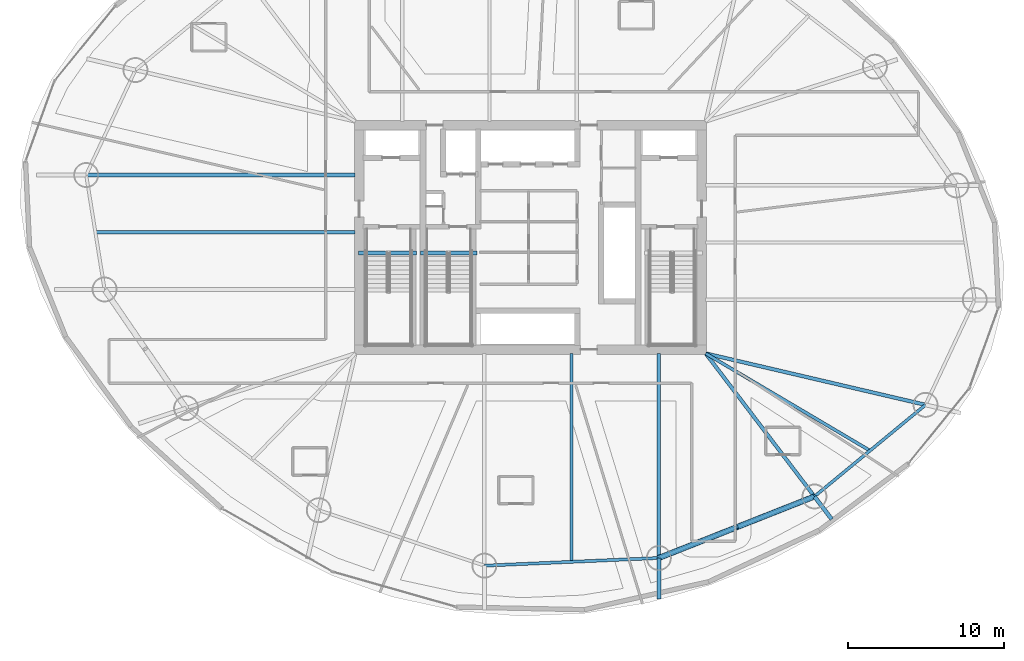
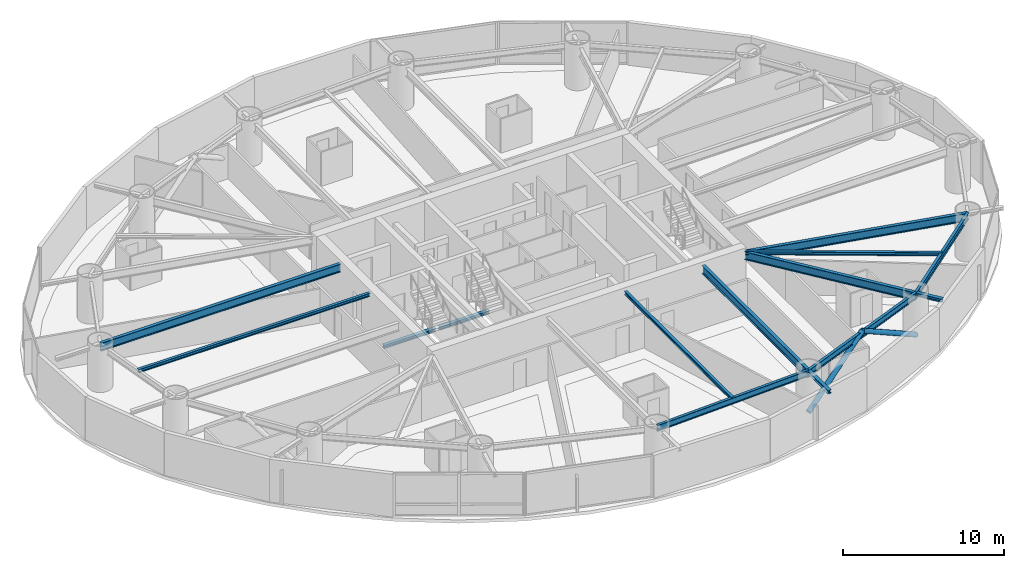
# One storey, part 6 of 23: 14 beams, 2 members.
"""IFC4 building model written with IfcOpenShell, lengths in metres."""

import ifcopenshell
import ifcopenshell.guid

model = None  # the IFC model being written
_history = None  # IfcOwnerHistory: only IFC2X3 demands one
_inside = {}  # id of a spatial element -> (the spatial element, [elements in it])
_under = {}  # id of a project, library or spatial element -> (it, [spatial elements below it])
_declared = {}  # id of a project -> (the project, [libraries it declares])
_typed = {}  # id of a type object -> (the type object, [elements of that type])
_made_of = {}  # id of a material, layer set ... -> (it, [elements and type objects made of it])


def new_model(schema):
    """Start an empty IFC model of exactly this schema.

    Asked for "IFC4X3", IfcOpenShell would pick the latest addendum, in which some entities
    have other attributes; the version numbers below select the first issue.
    IFC2X3 requires an IfcOwnerHistory on every rooted entity: one is made here for all.
    """
    global model, _history
    if schema == "IFC4X3":
        model = ifcopenshell.file(schema_version=(4, 3, 0, 0))
    else:
        model = ifcopenshell.file(schema=schema)
    _inside.clear()
    _under.clear()
    _declared.clear()
    _typed.clear()
    _made_of.clear()
    _history = None
    if model.schema == "IFC2X3":
        org = make("IfcOrganization", Name="unknown")
        user = make(
            "IfcPersonAndOrganization",
            ThePerson=make("IfcPerson", FamilyName="unknown"),
            TheOrganization=org,
        )
        app = make(
            "IfcApplication",
            ApplicationDeveloper=org,
            Version="unknown",
            ApplicationFullName="unknown",
            ApplicationIdentifier="unknown",
        )
        _history = make(
            "IfcOwnerHistory",
            OwningUser=user,
            OwningApplication=app,
            ChangeAction="ADDED",
            CreationDate=0,
        )
    return model


def make(cls, **values):
    """One entity of the class cls with the attributes given. An attribute that is None is left unset."""
    return model.create_entity(
        cls, **{name: value for name, value in values.items() if value is not None}
    )


def rooted(cls, **values):
    """An entity with a GlobalId (a new one), such as an element, a storey or a relation."""
    return make(cls, GlobalId=ifcopenshell.guid.new(), OwnerHistory=_history, **values)


def si_unit(unit_type, name, prefix=None):
    """IfcSIUnit, for example si_unit("LENGTHUNIT", "METRE", prefix="MILLI")."""
    return make("IfcSIUnit", UnitType=unit_type, Prefix=prefix, Name=name)


def assignment(units):
    """IfcUnitAssignment: the units of a project."""
    return None if units is None else make("IfcUnitAssignment", Units=units)


def point(xyz):
    """IfcCartesianPoint."""
    return None if xyz is None else make("IfcCartesianPoint", Coordinates=xyz)


def direction(xyz):
    """IfcDirection."""
    return None if xyz is None else make("IfcDirection", DirectionRatios=xyz)


def frame(location, z_axis=None, x_axis=None):
    """IfcAxis2Placement3D, a coordinate frame: its origin and axes. An axis left out is left unset."""
    return make(
        "IfcAxis2Placement3D",
        Location=point(location),
        Axis=direction(z_axis),
        RefDirection=direction(x_axis),
    )


def frame_2d(location, x_axis=None):
    """IfcAxis2Placement2D, a coordinate frame in the plane: its origin and x axis."""
    return make(
        "IfcAxis2Placement2D", Location=point(location), RefDirection=direction(x_axis)
    )


def origin():
    """The frame at (0, 0, 0) with its axes left unset."""
    return frame((0.0, 0.0, 0.0))


def origin_2d():
    """The frame at (0, 0) in the plane with its x axis left unset."""
    return frame_2d((0.0, 0.0))


def place(relative_to, where):
    """IfcLocalPlacement: puts the frame where relative to a parent placement (None: the world)."""
    return make(
        "IfcLocalPlacement", PlacementRelTo=relative_to, RelativePlacement=where
    )


def context(
    kind, dimensions, precision=None, world=None, true_north=None, identifier=None
):
    """IfcGeometricRepresentationContext, for example the 3D "Model" context."""
    return make(
        "IfcGeometricRepresentationContext",
        ContextIdentifier=identifier,
        ContextType=kind,
        CoordinateSpaceDimension=dimensions,
        Precision=precision,
        WorldCoordinateSystem=world,
        TrueNorth=true_north,
    )


def subcontext(parent, identifier, kind, view, scale=None):
    """IfcGeometricRepresentationSubContext, for example "Body" below "Model"."""
    return make(
        "IfcGeometricRepresentationSubContext",
        ContextIdentifier=identifier,
        ContextType=kind,
        ParentContext=parent,
        TargetScale=scale,
        TargetView=view,
    )


def project(units=None, contexts=None):
    """IfcProject with its units and contexts."""
    return rooted(
        "IfcProject",
        Name="project",
        RepresentationContexts=contexts,
        UnitsInContext=assignment(units),
    )


def spatial(cls, under=None, at=None, **own):
    """A site, building, storey or space (cls), placed at a placement, below another one or the project."""
    s = rooted(cls, ObjectPlacement=at, **own)
    if under is not None:
        _under.setdefault(under.id(), (under, []))[1].append(s)
    return s


def profile(cls, at=None, kind="AREA", **sizes):
    """A parametric profile (cls). Its sizes go by their IFC names, for example OverallWidth=200.0."""
    return make(cls, ProfileType=kind, Position=at, **sizes)


def hollow_circle(**sizes):
    """IfcCircleHollowProfileDef."""
    return profile("IfcCircleHollowProfileDef", **sizes)


def i_section(**sizes):
    """IfcIShapeProfileDef."""
    return profile("IfcIShapeProfileDef", **sizes)


def extrude(swept, where, along, depth):
    """IfcExtrudedAreaSolid: the profile swept, set in the frame where, extruded along a direction by depth."""
    return make(
        "IfcExtrudedAreaSolid",
        SweptArea=swept,
        Position=where,
        ExtrudedDirection=direction(along),
        Depth=depth,
    )


def shape(context_of_items, identifier, shape_type, items):
    """IfcShapeRepresentation: the items that make up one representation, for example the "Body"."""
    return make(
        "IfcShapeRepresentation",
        ContextOfItems=context_of_items,
        RepresentationIdentifier=identifier,
        RepresentationType=shape_type,
        Items=items,
    )


def material(Name=None, Category=None):
    """IfcMaterial."""
    return make("IfcMaterial", Name=Name, Category=Category)


def material_profile(
    of_material, cross_section, Name=None, Category=None, Priority=None
):
    """IfcMaterialProfile: a cross section and its material."""
    return make(
        "IfcMaterialProfile",
        Name=Name,
        Material=of_material,
        Profile=cross_section,
        Priority=Priority,
        Category=Category,
    )


def profile_set(profiles, Name=None, composite=None):
    """IfcMaterialProfileSet."""
    return make(
        "IfcMaterialProfileSet",
        Name=Name,
        MaterialProfiles=profiles,
        CompositeProfile=composite,
    )


def made_of(thing, what):
    """Note that an element or type object is made of a material, layer set ...; save() writes the relation."""
    if what is not None:
        _made_of.setdefault(what.id(), (what, []))[1].append(thing)
    return thing


def type_object(cls, material=None, **own):
    """A type object (cls), such as IfcWallType, which elements share."""
    return made_of(rooted(cls, **own), material)


def element(
    cls,
    number,
    at=None,
    inside=None,
    cuts=None,
    type_object=None,
    material=None,
    context=None,
    identifier="Body",
    shape_type=None,
    held_by="IfcProductDefinitionShape",
    body=None,
    shapes=None,
    **own,
):
    """One element of the class cls, such as IfcWall. Its Tag is "e" and its number.

    at: its placement. inside: the storey or other place that contains it. cuts: it is an
    opening in that element (IfcRelVoidsElement). A single representation is given by context,
    identifier, shape_type and body (its items); several are given by shapes. held_by: the class
    of the entity that holds the representations. save() writes the other relations.
    """
    e = rooted(cls, Tag="e%d" % number, ObjectPlacement=at, **own)
    if body is not None:
        shapes = [shape(context, identifier, shape_type, body)]
    if shapes is not None:
        e.Representation = make(held_by, Representations=shapes)
    if inside is not None:
        _inside.setdefault(inside.id(), (inside, []))[1].append(e)
    if cuts is not None:
        rooted(
            "IfcRelVoidsElement", RelatingBuildingElement=cuts, RelatedOpeningElement=e
        )
    if type_object is not None:
        _typed.setdefault(type_object.id(), (type_object, []))[1].append(e)
    return made_of(e, material)


def aggregate(whole, parts):
    """IfcRelAggregates: a whole, such as a stair, and the parts it consists of."""
    return rooted("IfcRelAggregates", RelatingObject=whole, RelatedObjects=parts)


def save(model, path):
    """Write the relations noted so far, then the file.

    IfcRelAggregates (storeys below a building ...), IfcRelContainedInSpatialStructure (elements
    in a storey), IfcRelDefinesByType, IfcRelAssociatesMaterial and IfcRelDeclares: one each for
    every whole, place, type object, material and project.
    """
    for whole, parts in _under.values():
        aggregate(whole, parts)
    for where, things in _inside.values():
        rooted(
            "IfcRelContainedInSpatialStructure",
            RelatedElements=things,
            RelatingStructure=where,
        )
    for kind, things in _typed.values():
        rooted("IfcRelDefinesByType", RelatedObjects=things, RelatingType=kind)
    for what, things in _made_of.values():
        rooted("IfcRelAssociatesMaterial", RelatedObjects=things, RelatingMaterial=what)
    for by, libraries in _declared.values():
        rooted("IfcRelDeclares", RelatingContext=by, RelatedDefinitions=libraries)
    model.write(path)


model = new_model("IFC4")

# Units and contexts
model_context = context("Model", 3, precision=1e-05, world=origin(), true_north=direction((0.0, 1.0)))
body_context = subcontext(model_context, "Body", "Model", "MODEL_VIEW")
ifc_project = project(units=[si_unit("LENGTHUNIT", "METRE"), si_unit("AREAUNIT", "SQUARE_METRE"), si_unit("VOLUMEUNIT", "CUBIC_METRE"), si_unit("PLANEANGLEUNIT", "RADIAN"), si_unit("MASSUNIT", "GRAM", prefix="KILO")], contexts=[model_context])

# Site, building, storey
site_placement = place(None, origin())
site = spatial("IfcSite", under=ifc_project, at=site_placement, CompositionType="ELEMENT")
building_placement = place(site_placement, origin())
building = spatial("IfcBuilding", under=site, at=building_placement, Name="Bramvorn Convention Spire", CompositionType="ELEMENT")
storey_placement = place(building_placement, frame((0.0, 0.0, 69.39990234375)))
storey = spatial("IfcBuildingStorey", under=building, at=storey_placement, Name="L15", CompositionType="ELEMENT", Elevation=69.39990234375)

# Beams
ifc_material = material(Name="Steel CSA G40.21 Grade 350 (350W)", Category="steel")
ifc_material_profile_1 = material_profile(ifc_material, i_section(OverallWidth=0.201904296875, OverallDepth=0.2470703125, WebThickness=0.00732421875, FlangeThickness=0.010986328125, FilletRadius=0.011962890625, at=origin_2d()))
ifc_profile_set_1 = profile_set([ifc_material_profile_1], Name="Steel CSA G40.21 Grade 350 (350W) - W250X49")
beam_type_1 = type_object("IfcBeamType", Name="BM-W250X49", PredefinedType="JOIST", material=ifc_profile_set_1)
beam_1_placement = place(storey_placement, frame((26.75, 26.333984375, 3.126708984375), z_axis=(-1.0, 0.0, 0.0), x_axis=(0.0, -1.0, 0.0)))
element("IfcBeam", 1, at=beam_1_placement, inside=storey, type_object=beam_type_1, Name="L15 composite floor joist 09", PredefinedType="JOIST", context=body_context, shape_type="SweptSolid", body=[
    extrude(i_section(OverallWidth=0.201904296875, OverallDepth=0.2470703125, WebThickness=0.00732421875, FlangeThickness=0.010986328125, FilletRadius=0.011962890625, at=origin_2d()), origin(), (0.0, 0.0, 1.0), 16.67919921875),
])
beam_2_placement = place(storey_placement, frame((40.638427734375, 18.550048828125, 3.126708984375), z_axis=(0.0, -1.0, 0.0), x_axis=(1.0, 0.0, 0.0)))
element("IfcBeam", 2, at=beam_2_placement, inside=storey, type_object=beam_type_1, Name="L15 composite floor joist 13", PredefinedType="JOIST", context=body_context, shape_type="SweptSolid", body=[
    extrude(i_section(OverallWidth=0.201904296875, OverallDepth=0.2470703125, WebThickness=0.00732421875, FlangeThickness=0.010986328125, FilletRadius=0.011962890625, at=origin_2d()), origin(), (0.0, 0.0, 1.0), 13.372802734375),
])
beam_3_placement = place(storey_placement, frame((49.25, 18.550048828125, 3.126708984375), z_axis=(0.860664556648, -0.509172388223, 0.0), x_axis=(0.509172388223, 0.860664556648, 0.0)))
element("IfcBeam", 3, at=beam_3_placement, inside=storey, type_object=beam_type_1, Name="L15 composite floor joist 15", PredefinedType="JOIST", context=body_context, shape_type="SweptSolid", body=[
    extrude(i_section(OverallWidth=0.201904296875, OverallDepth=0.2470703125, WebThickness=0.00732421875, FlangeThickness=0.010986328125, FilletRadius=0.011962890625, at=origin_2d()), origin(), (0.0, 0.0, 1.0), 12.25048828125),
])
ifc_material_profile_2 = material_profile(ifc_material, i_section(OverallWidth=0.25390625, OverallDepth=0.2529296875, WebThickness=0.008544921875, FlangeThickness=0.01416015625, FilletRadius=0.011962890625, at=origin_2d()))
ifc_profile_set_2 = profile_set([ifc_material_profile_2], Name="Steel CSA G40.21 Grade 350 (350W) - W250X73")
beam_type_2 = type_object("IfcBeamType", Name="BM-W250X73", PredefinedType="BEAM", material=ifc_profile_set_2)
beam_4_placement = place(storey_placement, frame((46.23779296875, 5.42333984375, 3.12353515625), z_axis=(0.0, -1.0, 0.0), x_axis=(1.0, 0.0, 0.0)))
element("IfcBeam", 4, at=beam_4_placement, inside=storey, type_object=beam_type_2, Name="L15 slab-edge cantilever tip beam MC14", PredefinedType="BEAM", context=body_context, shape_type="SweptSolid", body=[
    extrude(i_section(OverallWidth=0.25390625, OverallDepth=0.2529296875, WebThickness=0.008544921875, FlangeThickness=0.01416015625, FilletRadius=0.011962890625, at=origin_2d()), origin(), (0.0, 0.0, 1.0), 2.633056640625),
])
beam_5_placement = place(storey_placement, frame((56.227783203125, 9.371337890625, 3.12353515625), z_axis=(0.605140630484, -0.79611859502, 0.0), x_axis=(0.79611859502, 0.605140630484, 0.0)))
element("IfcBeam", 5, at=beam_5_placement, inside=storey, type_object=beam_type_2, Name="L15 slab-edge cantilever tip beam MC15", PredefinedType="BEAM", context=body_context, shape_type="SweptSolid", body=[
    extrude(i_section(OverallWidth=0.25390625, OverallDepth=0.2529296875, WebThickness=0.008544921875, FlangeThickness=0.01416015625, FilletRadius=0.011962890625, at=origin_2d()), origin(), (0.0, 0.0, 1.0), 1.83447265625),
])
beam_6_placement = place(storey_placement, frame((26.949951171875, 25.010009765625, -0.12646484375), z_axis=(1.0, 0.0, 0.0), x_axis=(0.0, 1.0, 0.0)))
element("IfcBeam", 6, at=beam_6_placement, inside=storey, type_object=beam_type_2, Name="L15 ST1 stair arrival header beam", PredefinedType="BEAM", context=body_context, shape_type="SweptSolid", body=[
    extrude(i_section(OverallWidth=0.25390625, OverallDepth=0.2529296875, WebThickness=0.008544921875, FlangeThickness=0.01416015625, FilletRadius=0.011962890625, at=origin_2d()), origin(), (0.0, 0.0, 1.0), 3.739990234375),
])
beam_7_placement = place(storey_placement, frame((30.949951171875, 25.010009765625, -0.12646484375), z_axis=(1.0, 0.0, 0.0), x_axis=(0.0, 1.0, 0.0)))
element("IfcBeam", 7, at=beam_7_placement, inside=storey, type_object=beam_type_2, Name="L15 ST3 stair arrival header beam", PredefinedType="BEAM", context=body_context, shape_type="SweptSolid", body=[
    extrude(i_section(OverallWidth=0.25390625, OverallDepth=0.2529296875, WebThickness=0.008544921875, FlangeThickness=0.01416015625, FilletRadius=0.011962890625, at=origin_2d()), origin(), (0.0, 0.0, 1.0), 3.610107421875),
])
ifc_material_profile_3 = material_profile(ifc_material, i_section(OverallWidth=0.194091796875, OverallDepth=0.468994140625, WebThickness=0.0126953125, FlangeThickness=0.0205078125, FilletRadius=0.01806640625, at=origin_2d()))
ifc_profile_set_3 = profile_set([ifc_material_profile_3], Name="Steel CSA G40.21 Grade 350 (350W) - W460X106")
beam_type_3 = type_object("IfcBeamType", Name="BM-W460X106", PredefinedType="SPANDREL", material=ifc_profile_set_3)
beam_8_placement = place(storey_placement, frame((35.0390625, 4.93115234375, 3.015625), z_axis=(0.999035582762, 0.043907907889, 0.0), x_axis=(-0.043907907889, 0.999035582762, 0.0)))
element("IfcBeam", 8, at=beam_8_placement, inside=storey, type_object=beam_type_3, Name="L15 mega-column ring beam 13", PredefinedType="SPANDREL", context=body_context, shape_type="SweptSolid", body=[
    extrude(i_section(OverallWidth=0.194091796875, OverallDepth=0.468994140625, WebThickness=0.0126953125, FlangeThickness=0.0205078125, FilletRadius=0.01806640625, at=origin_2d()), origin(), (0.0, 0.0, 1.0), 11.20947265625),
])
beam_9_placement = place(storey_placement, frame((46.23779296875, 5.42333984375, 3.015625), z_axis=(0.93000950609, 0.367535465749, 0.0), x_axis=(-0.367535465749, 0.93000950609, 0.0)))
element("IfcBeam", 9, at=beam_9_placement, inside=storey, type_object=beam_type_3, Name="L15 mega-column ring beam 14", PredefinedType="SPANDREL", context=body_context, shape_type="SweptSolid", body=[
    extrude(i_section(OverallWidth=0.194091796875, OverallDepth=0.468994140625, WebThickness=0.0126953125, FlangeThickness=0.0205078125, FilletRadius=0.01806640625, at=origin_2d()), origin(), (0.0, 0.0, 1.0), 10.74169921875),
])
beam_10_placement = place(storey_placement, frame((56.227783203125, 9.371337890625, 3.015625), z_axis=(0.771417680101, 0.636329130896, 0.0), x_axis=(-0.636329130896, 0.771417680101, 0.0)))
element("IfcBeam", 10, at=beam_10_placement, inside=storey, type_object=beam_type_3, Name="L15 mega-column ring beam 15", PredefinedType="SPANDREL", context=body_context, shape_type="SweptSolid", body=[
    extrude(i_section(OverallWidth=0.194091796875, OverallDepth=0.468994140625, WebThickness=0.0126953125, FlangeThickness=0.0205078125, FilletRadius=0.01806640625, at=origin_2d()), origin(), (0.0, 0.0, 1.0), 9.244140625),
])
ifc_material_profile_4 = material_profile(ifc_material, i_section(OverallWidth=0.22998046875, OverallDepth=0.616943359375, WebThickness=0.01318359375, FlangeThickness=0.022216796875, FilletRadius=0.02001953125, at=origin_2d()))
ifc_profile_set_4 = profile_set([ifc_material_profile_4], Name="Steel CSA G40.21 Grade 350 (350W) - W610X140")
beam_type_4 = type_object("IfcBeamType", Name="BM-W610X140", PredefinedType="BEAM", material=ifc_profile_set_4)
beam_11_placement = place(storey_placement, frame((26.75, 30.00830078125, 2.941650390625), z_axis=(-1.0, 0.0, 0.0), x_axis=(0.0, -1.0, 0.0)))
element("IfcBeam", 11, at=beam_11_placement, inside=storey, type_object=beam_type_4, Name="L15 radial floor girder MC09", PredefinedType="BEAM", context=body_context, shape_type="SweptSolid", body=[
    extrude(i_section(OverallWidth=0.22998046875, OverallDepth=0.616943359375, WebThickness=0.01318359375, FlangeThickness=0.022216796875, FilletRadius=0.02001953125, at=origin_2d()), origin(), (0.0, 0.0, 1.0), 17.269775390625),
])
beam_12_placement = place(storey_placement, frame((46.23779296875, 18.550048828125, 2.941650390625), z_axis=(0.0, -1.0, 0.0), x_axis=(1.0, 0.0, 0.0)))
element("IfcBeam", 12, at=beam_12_placement, inside=storey, type_object=beam_type_4, Name="L15 radial floor girder MC14", PredefinedType="BEAM", context=body_context, shape_type="SweptSolid", body=[
    extrude(i_section(OverallWidth=0.22998046875, OverallDepth=0.616943359375, WebThickness=0.01318359375, FlangeThickness=0.022216796875, FilletRadius=0.02001953125, at=origin_2d()), origin(), (0.0, 0.0, 1.0), 13.126708984375),
])
beam_13_placement = place(storey_placement, frame((49.25, 18.550048828125, 2.941650390625), z_axis=(0.605191175112, -0.796080172826, 0.0), x_axis=(0.796080172826, 0.605191175112, 0.0)))
element("IfcBeam", 13, at=beam_13_placement, inside=storey, type_object=beam_type_4, Name="L15 radial floor girder MC15", PredefinedType="BEAM", context=body_context, shape_type="SweptSolid", body=[
    extrude(i_section(OverallWidth=0.22998046875, OverallDepth=0.616943359375, WebThickness=0.01318359375, FlangeThickness=0.022216796875, FilletRadius=0.02001953125, at=origin_2d()), origin(), (0.0, 0.0, 1.0), 11.52978515625),
])
beam_14_placement = place(storey_placement, frame((49.25, 18.550048828125, 2.941650390625), z_axis=(0.973775294862, -0.227511923018, 0.0), x_axis=(0.227511923018, 0.973775294862, 0.0)))
element("IfcBeam", 14, at=beam_14_placement, inside=storey, type_object=beam_type_4, Name="L15 radial floor girder MC16", PredefinedType="BEAM", context=body_context, shape_type="SweptSolid", body=[
    extrude(i_section(OverallWidth=0.22998046875, OverallDepth=0.616943359375, WebThickness=0.01318359375, FlangeThickness=0.022216796875, FilletRadius=0.02001953125, at=origin_2d()), origin(), (0.0, 0.0, 1.0), 14.48876953125),
])

# Members
ifc_material_profile_5 = material_profile(ifc_material, hollow_circle(Radius=0.177734375, WallThickness=0.015869140625, at=origin_2d()))
ifc_profile_set_5 = profile_set([ifc_material_profile_5], Name="Steel CSA G40.21 Grade 350 (350W) - CHS356X16")
member_type = type_object("IfcMemberType", Name="MBR-CHS356X16", PredefinedType="BRACE", material=ifc_profile_set_5)
member_1_placement = place(storey_placement, frame((46.23779296875, 5.42333984375, 0.0), z_axis=(0.795674251791, 0.314435032295, 0.517719128005), x_axis=(-0.367523576179, 0.930014204705, 0.0)))
element("IfcMember", 15, at=member_1_placement, inside=storey, type_object=member_type, Name="L15 perimeter Gothic lancet brace 14A", PredefinedType="BRACE", context=body_context, shape_type="SweptSolid", body=[
    extrude(hollow_circle(Radius=0.177734375, WallThickness=0.015869140625, at=origin_2d()), origin(), (0.0, 0.0, 1.0), 6.277587890625),
])
member_2_placement = place(storey_placement, frame((56.227783203125, 9.371337890625, 0.0), z_axis=(-0.795678790301, -0.314460346939, 0.517696776954), x_axis=(0.367547354558, -0.930004807599, 0.0)))
element("IfcMember", 16, at=member_2_placement, inside=storey, type_object=member_type, Name="L15 perimeter Gothic lancet brace 14B", PredefinedType="BRACE", context=body_context, shape_type="SweptSolid", body=[
    extrude(hollow_circle(Radius=0.177734375, WallThickness=0.015869140625, at=origin_2d()), origin(), (0.0, 0.0, 1.0), 6.27783203125),
])

save(model, "model.ifc")
